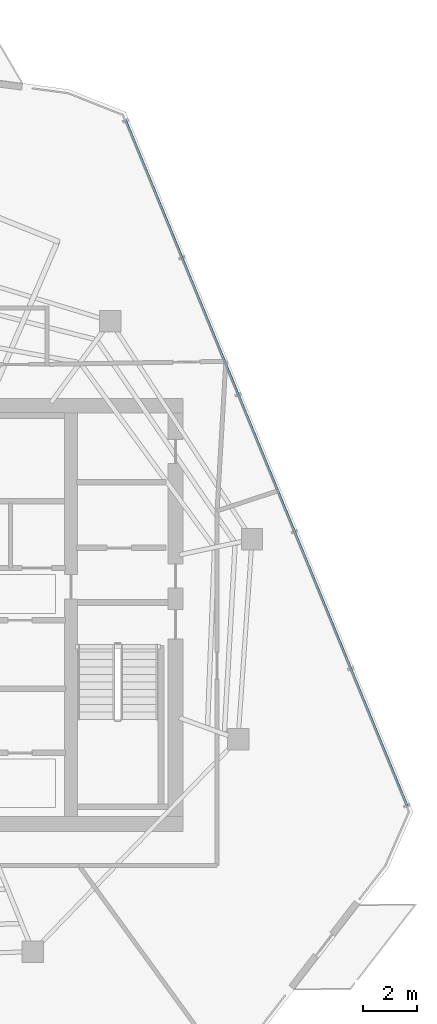
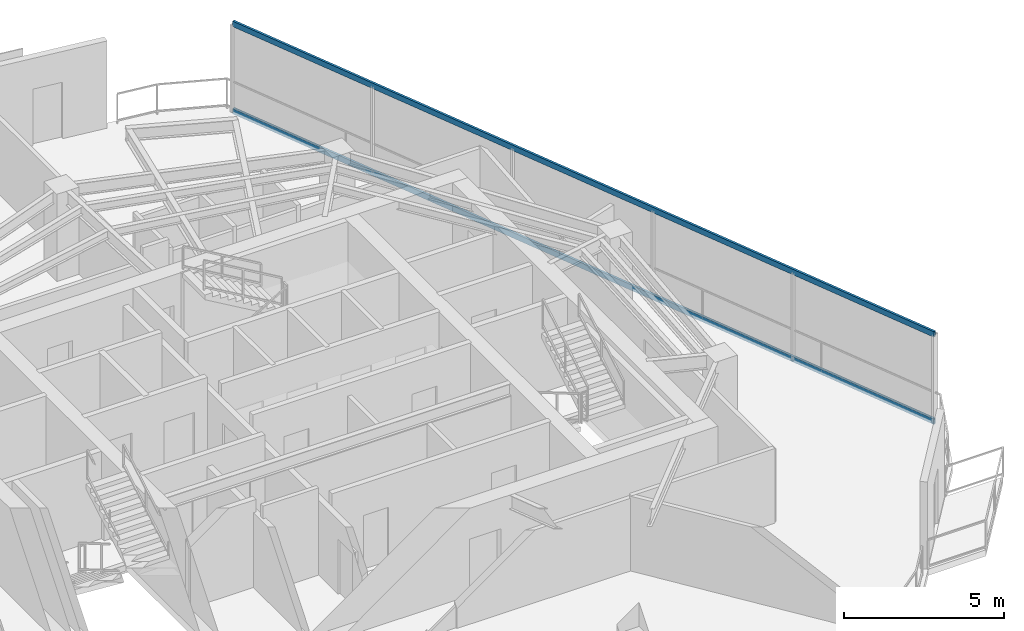
# One storey, part 11 of 19: 2 members, 1 element without a shape of its own.
"""IFC4 building model written with IfcOpenShell, lengths in metres."""

from ifc_helpers import new_model, si_unit, direction, frame, origin, origin_2d, place, context, subcontext, project, spatial, hollow_rectangle, extrude, material, layer, layer_set, material_profile, profile_set, type_object, element, aggregate, save


model = new_model("IFC4")

# Units and contexts
model_context = context("Model", 3, precision=1e-05, world=origin(), true_north=direction((0.0, 1.0)))
body_context = subcontext(model_context, "Body", "Model", "MODEL_VIEW")
ifc_project = project(units=[si_unit("LENGTHUNIT", "METRE"), si_unit("AREAUNIT", "SQUARE_METRE"), si_unit("VOLUMEUNIT", "CUBIC_METRE"), si_unit("PLANEANGLEUNIT", "RADIAN"), si_unit("MASSUNIT", "GRAM", prefix="KILO")], contexts=[model_context])

# Site, building, storey
site_placement = place(None, origin())
site = spatial("IfcSite", under=ifc_project, at=site_placement, CompositionType="ELEMENT")
building_placement = place(site_placement, origin())
building = spatial("IfcBuilding", under=site, at=building_placement, Name="Qarnah Convention Tower", CompositionType="ELEMENT")
storey_placement = place(building_placement, frame((0.0, 0.0, 264.300048828125)))
storey = spatial("IfcBuildingStorey", under=building, at=storey_placement, Name="L71", CompositionType="ELEMENT", Elevation=264.300048828125)

# Curtain wall, members
ifc_material_1 = material(Name="Tempered Low-E dark glass", Category="glass")
ifc_layer = layer(ifc_material_1, 0.176025390625)
ifc_layer_set = layer_set([ifc_layer], Name="Tempered Low-E dark glass")
curtain_wall_type = type_object("IfcCurtainWallType", Name="CWS-05", PredefinedType="NOTDEFINED", material=ifc_layer_set)
curtain_wall_placement = place(storey_placement, origin())
curtain_wall = element("IfcCurtainWall", 1, at=curtain_wall_placement, inside=storey, type_object=curtain_wall_type, Name="L71 unitised curtain wall CW-L71-F1", PredefinedType="NOTDEFINED")
ifc_material_2 = material(Name="Black anodised aluminium", Category="aluminium")
ifc_material_profile = material_profile(ifc_material_2, hollow_rectangle(XDim=0.080078125, YDim=0.2099609375, WallThickness=0.0048828125, at=origin_2d()), Name="TRN-80X210")
ifc_profile_set = profile_set([ifc_material_profile], Name="Black anodised aluminium")
member_type = type_object("IfcMemberType", Name="TRN-T5", PredefinedType="USERDEFINED", material=ifc_profile_set)
member_1_placement = place(storey_placement, frame((45.743896484375, 44.840087890625, 0.0), z_axis=(0.379779772107, -0.92507692907, 0.0), x_axis=(0.92507692907, 0.379779772107, 0.0)))
member_1 = element("IfcMember", 2, at=member_1_placement, type_object=member_type, Name="CW-L71-F1 transom 1", ObjectType="TRANSOM", PredefinedType="USERDEFINED", context=body_context, shape_type="SweptSolid", body=[
    extrude(hollow_rectangle(XDim=0.080078125, YDim=0.2099609375, WallThickness=0.0048828125, at=origin_2d()), origin(), (0.0, 0.0, 1.0), 27.626953125),
])
member_2_placement = place(storey_placement, frame((45.743896484375, 44.840087890625, 3.320068359375), z_axis=(0.379779772107, -0.92507692907, 0.0), x_axis=(0.92507692907, 0.379779772107, 0.0)))
member_2 = element("IfcMember", 3, at=member_2_placement, type_object=member_type, Name="CW-L71-F1 transom 2", ObjectType="TRANSOM", PredefinedType="USERDEFINED", context=body_context, shape_type="SweptSolid", body=[
    extrude(hollow_rectangle(XDim=0.080078125, YDim=0.2099609375, WallThickness=0.0048828125, at=origin_2d()), origin(), (0.0, 0.0, 1.0), 27.626953125),
])
aggregate(curtain_wall, [member_1, member_2])

save(model, "model.ifc")
